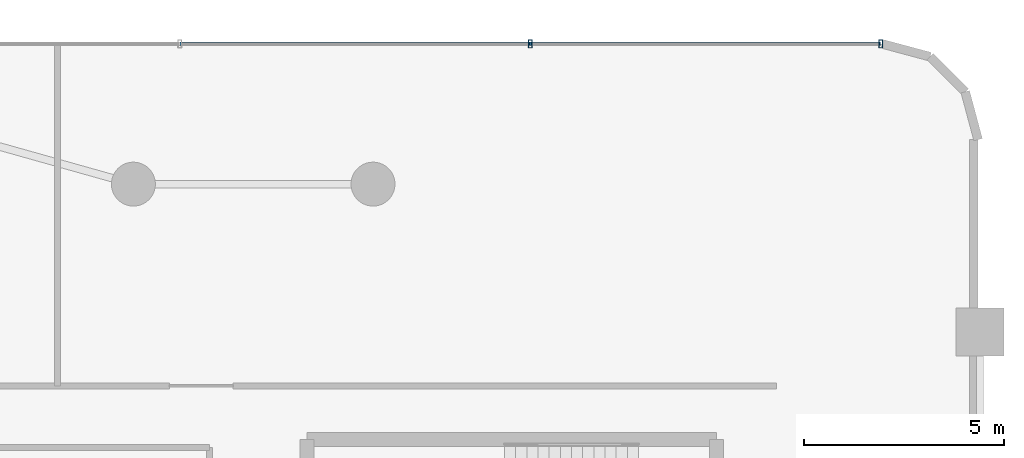
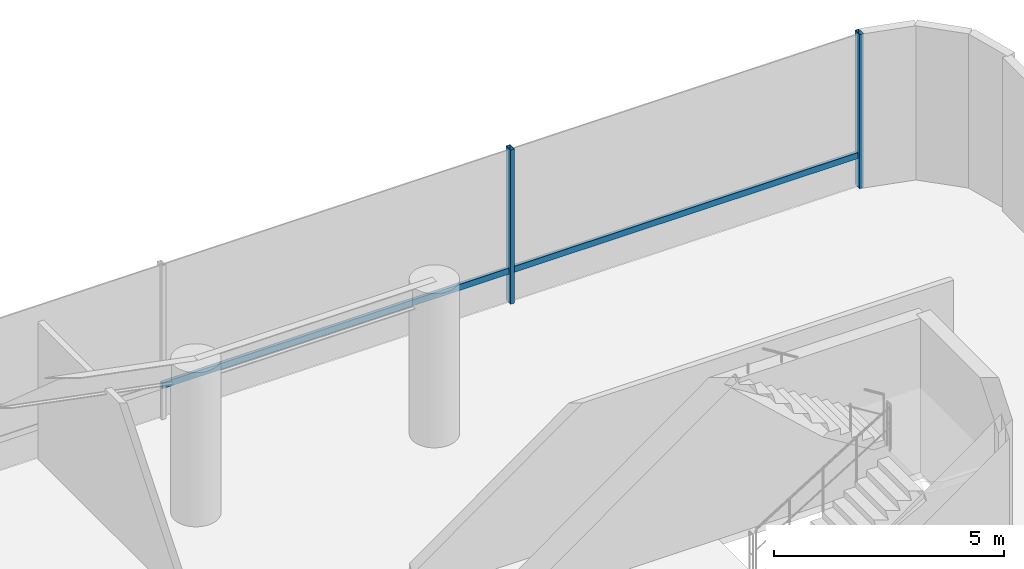
# One storey, part 12 of 23: 4 members, 1 element without a shape of its own.
"""IFC4 building model written with IfcOpenShell, lengths in metres."""

from ifc_helpers import new_model, si_unit, direction, frame, origin, origin_2d, place, context, subcontext, project, spatial, hollow_rectangle, extrude, source, transform, mapped, material, material_profile, profile_set, type_object, element, aggregate, save


model = new_model("IFC4")

# Units and contexts
model_context = context("Model", 3, precision=1e-05, world=origin(), true_north=direction((0.0, 1.0)))
body_context = subcontext(model_context, "Body", "Model", "MODEL_VIEW")
ifc_project = project(units=[si_unit("LENGTHUNIT", "METRE"), si_unit("AREAUNIT", "SQUARE_METRE"), si_unit("VOLUMEUNIT", "CUBIC_METRE"), si_unit("PLANEANGLEUNIT", "RADIAN"), si_unit("MASSUNIT", "GRAM", prefix="KILO")], contexts=[model_context])

# Site, building, storey
site_placement = place(None, origin())
site = spatial("IfcSite", under=ifc_project, at=site_placement, CompositionType="ELEMENT")
building_placement = place(site_placement, origin())
building = spatial("IfcBuilding", under=site, at=building_placement, Name="Sahyath Konkavel Grand Hotel", CompositionType="ELEMENT")
storey_placement = place(building_placement, frame((0.0, 0.0, 4.800048828125)))
storey = spatial("IfcBuildingStorey", under=building, at=storey_placement, Name="L01", CompositionType="ELEMENT", Elevation=4.800048828125)

# Curtain wall, members
ifc_material_1 = material(Name="Anodised Bronze Aluminium & Low-E Glazing", Category="aluminium")
curtain_wall_type = type_object("IfcCurtainWallType", Name="CW-PODIUM", PredefinedType="NOTDEFINED", material=ifc_material_1)
curtain_wall_placement = place(storey_placement, origin())
curtain_wall = element("IfcCurtainWall", 1, at=curtain_wall_placement, inside=storey, type_object=curtain_wall_type, Name="L01 Unitised Curtain Wall N", PredefinedType="NOTDEFINED")
ifc_material_2 = material(Name="Anodised Bronze Aluminium", Category="aluminium")
ifc_material_profile_1 = material_profile(ifc_material_2, hollow_rectangle(XDim=0.10009765625, YDim=0.199951171875, WallThickness=0.008056640625, at=origin_2d()), Name="RHS 200x100x8")
ifc_profile_set_1 = profile_set([ifc_material_profile_1], Name="Anodised Bronze Aluminium")
member_type_1 = type_object("IfcMemberType", Name="CW-MUL-200", PredefinedType="MULLION", material=ifc_profile_set_1)
shared_shape_1 = source(origin(), body_context, "Body", "SweptSolid", [
    extrude(hollow_rectangle(XDim=0.10009765625, YDim=0.199951171875, WallThickness=0.008056640625, at=origin_2d()), origin(), (0.0, 0.0, 1.0), 4.099853515625),
])
member_1_placement = place(storey_placement, frame((30.7119140625, 24.012939453125, 0.0), z_axis=(0.0, 0.0, 1.0), x_axis=(1.0, 0.0, 0.0)))
member_1 = element("IfcMember", 2, at=member_1_placement, type_object=member_type_1, Name="L01 Curtain Wall Mullion N-0", PredefinedType="MULLION", context=body_context, shape_type="MappedRepresentation", body=[
    mapped(shared_shape_1, transform((0.0, 0.0, 0.0), scale=1.0)),
])
member_2_placement = place(storey_placement, frame((21.93701171875, 24.012939453125, 0.0), z_axis=(0.0, 0.0, 1.0), x_axis=(1.0, 0.0, 0.0)))
member_2 = element("IfcMember", 3, at=member_2_placement, type_object=member_type_1, Name="L01 Curtain Wall Mullion N-1", PredefinedType="MULLION", context=body_context, shape_type="MappedRepresentation", body=[
    mapped(shared_shape_1, transform((0.0, 0.0, 0.0), scale=1.0)),
])
ifc_material_profile_2 = material_profile(ifc_material_2, hollow_rectangle(XDim=0.080078125, YDim=0.159912109375, WallThickness=0.006103515625, at=origin_2d()), Name="RHS 160x80x6")
ifc_profile_set_2 = profile_set([ifc_material_profile_2], Name="Anodised Bronze Aluminium")
member_type_2 = type_object("IfcMemberType", Name="CW-TRN-160", PredefinedType="USERDEFINED", material=ifc_profile_set_2)
shared_shape_2 = source(origin(), body_context, "Body", "SweptSolid", [
    extrude(hollow_rectangle(XDim=0.080078125, YDim=0.159912109375, WallThickness=0.006103515625, at=origin_2d()), origin(), (0.0, 0.0, 1.0), 8.77490234375),
])
member_3_placement = place(storey_placement, frame((30.7119140625, 24.012939453125, 0.849853515625), z_axis=(-1.0, 0.0, 0.0), x_axis=(0.0, -1.0, 0.0)))
member_3 = element("IfcMember", 4, at=member_3_placement, type_object=member_type_2, Name="L01 Curtain Wall Transom N-0-spandrel", ObjectType="TRANSOM", PredefinedType="USERDEFINED", context=body_context, shape_type="MappedRepresentation", body=[
    mapped(shared_shape_2, transform((0.0, 0.0, 0.0), scale=1.0)),
])
shared_shape_3 = source(origin(), body_context, "Body", "SweptSolid", [
    extrude(hollow_rectangle(XDim=0.080078125, YDim=0.159912109375, WallThickness=0.006103515625, at=origin_2d()), origin(), (0.0, 0.0, 1.0), 8.774658203125),
])
member_4_placement = place(storey_placement, frame((21.93701171875, 24.012939453125, 0.849853515625), z_axis=(-1.0, 0.0, 0.0), x_axis=(0.0, -1.0, 0.0)))
member_4 = element("IfcMember", 5, at=member_4_placement, type_object=member_type_2, Name="L01 Curtain Wall Transom N-1-spandrel", ObjectType="TRANSOM", PredefinedType="USERDEFINED", context=body_context, shape_type="MappedRepresentation", body=[
    mapped(shared_shape_3, transform((0.0, 0.0, 0.0), scale=1.0)),
])
aggregate(curtain_wall, [member_1, member_2, member_3, member_4])

save(model, "model.ifc")
